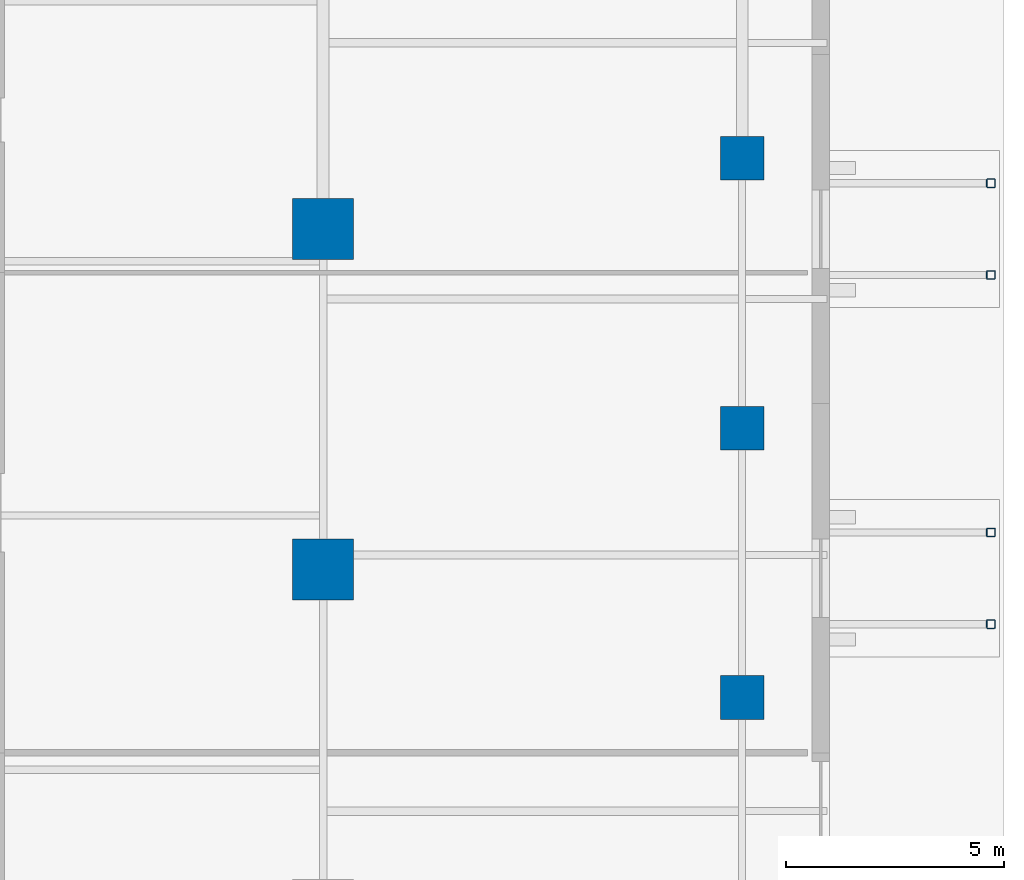
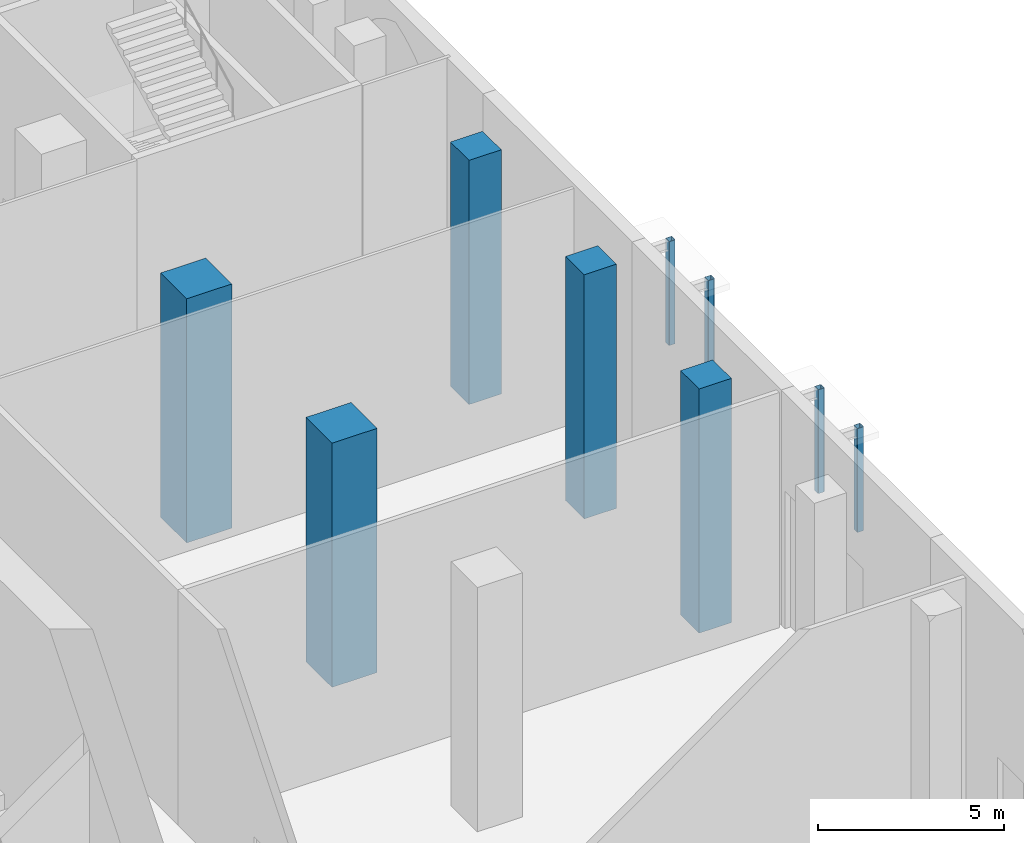
# One storey, part 12 of 38: 9 columns.
"""IFC4 building model written with IfcOpenShell, lengths in metres."""

from ifc_helpers import new_model, si_unit, direction, frame, origin, origin_2d, place, context, subcontext, project, spatial, rectangle, hollow_rectangle, extrude, material, material_profile, profile_set, type_object, element, save


model = new_model("IFC4")

# Units and contexts
model_context = context("Model", 3, precision=1e-05, world=origin(), true_north=direction((0.0, 1.0)))
body_context = subcontext(model_context, "Body", "Model", "MODEL_VIEW")
ifc_project = project(units=[si_unit("LENGTHUNIT", "METRE"), si_unit("AREAUNIT", "SQUARE_METRE"), si_unit("VOLUMEUNIT", "CUBIC_METRE"), si_unit("PLANEANGLEUNIT", "RADIAN"), si_unit("MASSUNIT", "GRAM", prefix="KILO")], contexts=[model_context])

# Site, building, storey
site_placement = place(None, origin())
site = spatial("IfcSite", under=ifc_project, at=site_placement, CompositionType="ELEMENT")
building_placement = place(site_placement, origin())
building = spatial("IfcBuilding", under=site, at=building_placement, Name="Ogive Exchange Tower", CompositionType="ELEMENT")
storey_placement = place(building_placement, origin())
storey = spatial("IfcBuildingStorey", under=building, at=storey_placement, Name="L00", CompositionType="ELEMENT", Elevation=0.0)

# Columns
ifc_material_1 = material(Name="Steel ASTM A1085 Gr A", Category="steel")
ifc_material_profile_1 = material_profile(ifc_material_1, hollow_rectangle(XDim=0.202880859375, YDim=0.202880859375, WallThickness=0.0126953125, InnerFilletRadius=0.0126953125, OuterFilletRadius=0.025390625, at=origin_2d()), Name="HSS203.2x203.2x12.7")
ifc_profile_set_1 = profile_set([ifc_material_profile_1], Name="Steel ASTM A1085 Gr A")
column_type_1 = type_object("IfcColumnType", Name="Canopy post HSS203.2x203.2x12.7", PredefinedType="COLUMN", material=ifc_profile_set_1)
for number, where, z_axis, x_axis, name in (
    (1, (47.699951171875, 10.949951171875, -0.10009765625), (0.0, 0.0, 1.0), (0.0, 1.0, 0.0), "Canopy post"),
    (2, (47.699951171875, 13.050048828125, -0.10009765625), (0.0, 0.0, 1.0), (0.0, 1.0, 0.0), "Canopy post"),
    (3, (47.699951171875, 18.949951171875, -0.10009765625), (0.0, 0.0, 1.0), (0.0, 1.0, 0.0), "Canopy post"),
    (4, (47.699951171875, 21.050048828125, -0.10009765625), (0.0, 0.0, 1.0), (0.0, 1.0, 0.0), "Canopy post"),
):
    element("IfcColumn", number, at=place(storey_placement, frame(where, z_axis=z_axis, x_axis=x_axis)), inside=storey, type_object=column_type_1, Name=name, PredefinedType="COLUMN", context=body_context, shape_type="SweptSolid", body=[
        extrude(hollow_rectangle(XDim=0.202880859375, YDim=0.202880859375, WallThickness=0.0126953125, InnerFilletRadius=0.0126953125, OuterFilletRadius=0.025390625, at=origin_2d()), origin(), (0.0, 0.0, 1.0), 3.400146484375),
    ])
ifc_material_2 = material(Name="Concrete C70/85", Category="concrete")
ifc_material_profile_2 = material_profile(ifc_material_2, rectangle(XDim=1.0, YDim=1.0, at=origin_2d()), Name="RC 1000x1000")
ifc_profile_set_2 = profile_set([ifc_material_profile_2], Name="Concrete C70/85")
column_type_2 = type_object("IfcColumnType", Name="RC column 1000x1000", PredefinedType="COLUMN", material=ifc_profile_set_2)
for number, where, z_axis, x_axis, name in (
    (5, (42.0, 9.27001953125, 0.0), (0.0, 0.0, 1.0), (1.0, 0.0, 0.0), "Podium column"),
    (6, (42.0, 15.43994140625, 0.0), (0.0, 0.0, 1.0), (1.0, 0.0, 0.0), "Podium column"),
    (7, (42.0, 21.6201171875, 0.0), (0.0, 0.0, 1.0), (1.0, 0.0, 0.0), "Podium column"),
):
    element("IfcColumn", number, at=place(storey_placement, frame(where, z_axis=z_axis, x_axis=x_axis)), inside=storey, type_object=column_type_2, Name=name, PredefinedType="COLUMN", context=body_context, shape_type="SweptSolid", body=[
        extrude(rectangle(XDim=1.0, YDim=1.0, at=origin_2d()), origin(), (0.0, 0.0, 1.0), 8.0),
    ])
ifc_material_profile_3 = material_profile(ifc_material_2, rectangle(XDim=1.39990234375, YDim=1.39990234375, at=origin_2d()), Name="RC 1400x1400")
ifc_profile_set_3 = profile_set([ifc_material_profile_3], Name="Concrete C70/85")
column_type_3 = type_object("IfcColumnType", Name="RC column 1400x1400", PredefinedType="COLUMN", material=ifc_profile_set_3)
for number, where, z_axis, x_axis, name in (
    (8, (32.39990234375, 12.199951171875, 0.0), (0.0, 0.0, 1.0), (1.0, 0.0, 0.0), "Leg column"),
    (9, (32.39990234375, 20.0, 0.0), (0.0, 0.0, 1.0), (1.0, 0.0, 0.0), "Leg column"),
):
    element("IfcColumn", number, at=place(storey_placement, frame(where, z_axis=z_axis, x_axis=x_axis)), inside=storey, type_object=column_type_3, Name=name, PredefinedType="COLUMN", context=body_context, shape_type="SweptSolid", body=[
        extrude(rectangle(XDim=1.39990234375, YDim=1.39990234375, at=origin_2d()), origin(), (0.0, 0.0, 1.0), 8.0),
    ])

save(model, "model.ifc")
